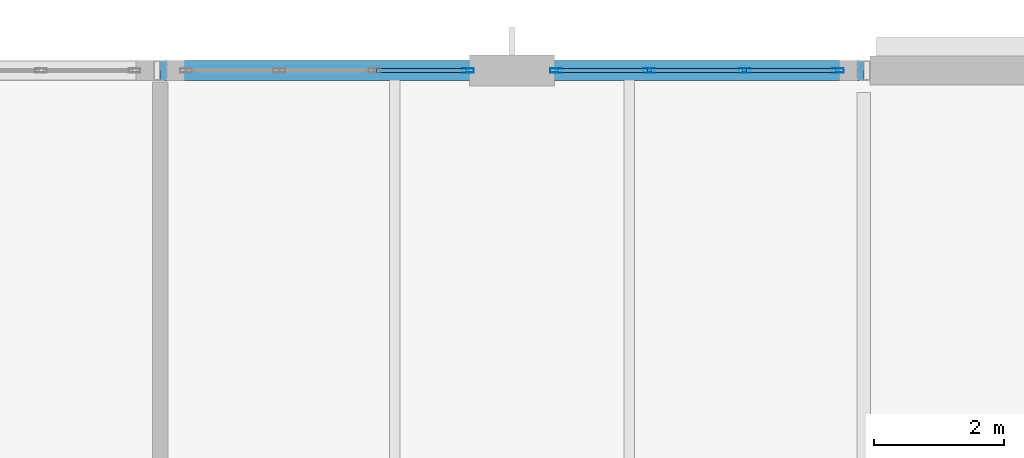
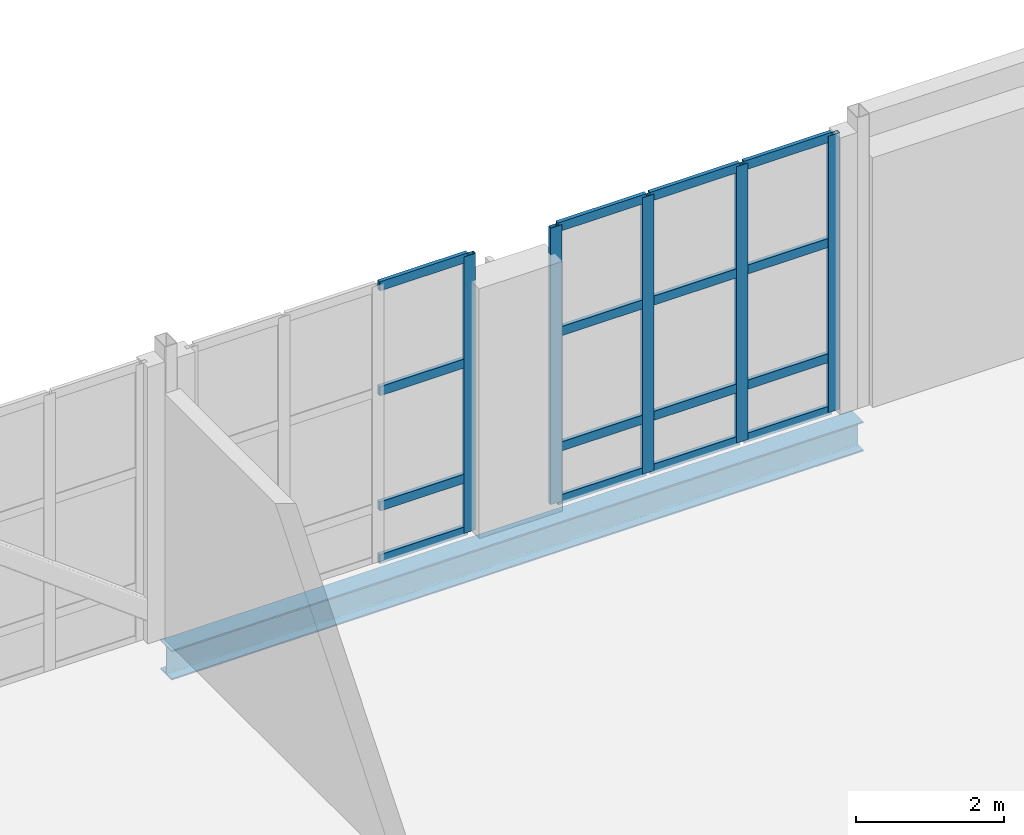
# One storey, part 56 of 100: 21 members, 1 beam, 2 elements without a shape of their own.
"""IFC4 building model written with IfcOpenShell, lengths in metres."""

from ifc_helpers import new_model, si_unit, direction, frame, origin, origin_2d, place, context, subcontext, project, spatial, hollow_rectangle, i_section, extrude, material, layer, layer_set, material_profile, profile_set, type_object, element, aggregate, save


model = new_model("IFC4")

# Units and contexts
model_context = context("Model", 3, precision=1e-05, world=origin(), true_north=direction((0.0, 1.0)))
body_context = subcontext(model_context, "Body", "Model", "MODEL_VIEW")
ifc_project = project(units=[si_unit("LENGTHUNIT", "METRE"), si_unit("AREAUNIT", "SQUARE_METRE"), si_unit("VOLUMEUNIT", "CUBIC_METRE"), si_unit("PLANEANGLEUNIT", "RADIAN"), si_unit("MASSUNIT", "GRAM", prefix="KILO")], contexts=[model_context])

# Site, building, storey
site_placement = place(None, origin())
site = spatial("IfcSite", under=ifc_project, at=site_placement, CompositionType="ELEMENT")
building_placement = place(site_placement, origin())
building = spatial("IfcBuilding", under=site, at=building_placement, Name="Tasgan Crest Museum", CompositionType="ELEMENT")
storey_placement = place(building_placement, frame((0.0, 0.0, 9.60009765625)))
storey = spatial("IfcBuildingStorey", under=building, at=storey_placement, Name="L02", CompositionType="ELEMENT", Elevation=9.60009765625)

# Beam
ifc_material_1 = material(Name="Steel S355J2", Category="steel")
ifc_material_profile_1 = material_profile(ifc_material_1, i_section(OverallWidth=0.300048828125, OverallDepth=0.489990234375, WebThickness=0.011962890625, FlangeThickness=0.02294921875, FilletRadius=0.027099609375, at=origin_2d()), Name="HEA 500")
ifc_profile_set_1 = profile_set([ifc_material_profile_1], Name="Steel S355J2")
beam_type = type_object("IfcBeamType", Name="BM-G-HEA500", PredefinedType="BEAM", material=ifc_profile_set_1)
beam_placement = place(storey_placement, frame((75.605224609375, 112.0, -0.485107421875), z_axis=(1.0, 0.0, 0.0), x_axis=(0.0, 1.0, 0.0)))
element("IfcBeam", 1, at=beam_placement, inside=storey, type_object=beam_type, Name="Girder L02 M 75.6-86.4", PredefinedType="BEAM", context=body_context, shape_type="SweptSolid", body=[
    extrude(i_section(OverallWidth=0.300048828125, OverallDepth=0.489990234375, WebThickness=0.011962890625, FlangeThickness=0.02294921875, FilletRadius=0.027099609375, at=origin_2d()), origin(), (0.0, 0.0, 1.0), 10.78955078125),
])

# Curtain wall, members
ifc_material_2 = material(Name="Triple-Glazed Aluminium Curtain Wall", Category="aluminium")
ifc_layer = layer(ifc_material_2, 0.179931640625, Name="CW-GAL-X-48")
ifc_layer_set = layer_set([ifc_layer], Name="Triple-Glazed Aluminium Curtain Wall")
curtain_wall_type = type_object("IfcCurtainWallType", Name="CW-GAL-X-48", PredefinedType="NOTDEFINED", material=ifc_layer_set)
curtain_wall_1_placement = place(storey_placement, origin())
curtain_wall_1 = element("IfcCurtainWall", 2, at=curtain_wall_1_placement, inside=storey, type_object=curtain_wall_type, Name="Curtain wall L02 081", PredefinedType="NOTDEFINED")
ifc_material_3 = material(Name="Anodised Aluminium", Category="aluminium")
ifc_material_profile_2 = material_profile(ifc_material_3, hollow_rectangle(XDim=0.06494140625, YDim=0.179931640625, WallThickness=0.0048828125, at=origin_2d()), Name="ALU MULLION 180x65x5")
ifc_profile_set_2 = profile_set([ifc_material_profile_2], Name="Anodised Aluminium")
member_type_1 = type_object("IfcMemberType", Name="CW-MULLION-180", PredefinedType="MULLION", material=ifc_profile_set_2)
member_1_placement = place(storey_placement, frame((86.0048828125, 112.0, 0.0), z_axis=(0.0, 0.0, 1.0), x_axis=(0.0, -1.0, 0.0)))
member_1 = element("IfcMember", 3, at=member_1_placement, type_object=member_type_1, Name="CW13 mullion 1", PredefinedType="MULLION", context=body_context, shape_type="SweptSolid", body=[
    extrude(hollow_rectangle(XDim=0.06494140625, YDim=0.179931640625, WallThickness=0.0048828125, at=origin_2d()), origin(), (0.0, 0.0, 1.0), 4.559814453125),
])
member_2_placement = place(storey_placement, frame((84.57177734375, 112.0, 0.0), z_axis=(0.0, 0.0, 1.0), x_axis=(0.0, -1.0, 0.0)))
member_2 = element("IfcMember", 4, at=member_2_placement, type_object=member_type_1, Name="CW13 mullion 2", PredefinedType="MULLION", context=body_context, shape_type="SweptSolid", body=[
    extrude(hollow_rectangle(XDim=0.06494140625, YDim=0.179931640625, WallThickness=0.0048828125, at=origin_2d()), origin(), (0.0, 0.0, 1.0), 4.559814453125),
])
member_3_placement = place(storey_placement, frame((83.1083984375, 112.0, 0.0), z_axis=(0.0, 0.0, 1.0), x_axis=(0.0, -1.0, 0.0)))
member_3 = element("IfcMember", 5, at=member_3_placement, type_object=member_type_1, Name="CW13 mullion 3", PredefinedType="MULLION", context=body_context, shape_type="SweptSolid", body=[
    extrude(hollow_rectangle(XDim=0.06494140625, YDim=0.179931640625, WallThickness=0.0048828125, at=origin_2d()), origin(), (0.0, 0.0, 1.0), 4.559814453125),
])
member_4_placement = place(storey_placement, frame((81.675048828125, 112.0, 0.0), z_axis=(0.0, 0.0, 1.0), x_axis=(0.0, -1.0, 0.0)))
member_4 = element("IfcMember", 6, at=member_4_placement, type_object=member_type_1, Name="CW13 mullion 4", PredefinedType="MULLION", context=body_context, shape_type="SweptSolid", body=[
    extrude(hollow_rectangle(XDim=0.06494140625, YDim=0.179931640625, WallThickness=0.0048828125, at=origin_2d()), origin(), (0.0, 0.0, 1.0), 4.559814453125),
])

# Curtain wall, member
curtain_wall_2_placement = place(storey_placement, origin())
curtain_wall_2 = element("IfcCurtainWall", 7, at=curtain_wall_2_placement, inside=storey, type_object=curtain_wall_type, Name="Curtain wall L02 082", PredefinedType="NOTDEFINED")
member_5_placement = place(storey_placement, frame((80.324951171875, 112.0, 0.0), z_axis=(0.0, 0.0, 1.0), x_axis=(0.0, -1.0, 0.0)))
member_5 = element("IfcMember", 8, at=member_5_placement, type_object=member_type_1, Name="CW13 mullion 1", PredefinedType="MULLION", context=body_context, shape_type="SweptSolid", body=[
    extrude(hollow_rectangle(XDim=0.06494140625, YDim=0.179931640625, WallThickness=0.0048828125, at=origin_2d()), origin(), (0.0, 0.0, 1.0), 4.559814453125),
])

# Member
ifc_material_4 = material(Name="Anodised Aluminium", Category="aluminium")
ifc_material_profile_3 = material_profile(ifc_material_4, hollow_rectangle(XDim=0.06005859375, YDim=0.14990234375, WallThickness=0.0048828125, at=origin_2d()), Name="ALU TRANSOM 150x60x5")
ifc_profile_set_3 = profile_set([ifc_material_profile_3], Name="Anodised Aluminium")
member_type_2 = type_object("IfcMemberType", Name="CW-TRANSOM-150", PredefinedType="USERDEFINED", material=ifc_profile_set_3)
member_6_placement = place(storey_placement, frame((85.97509765625, 112.0, 0.02978515625), z_axis=(-1.0, 0.0, 0.0), x_axis=(0.0, -1.0, 0.0)))
member_6 = element("IfcMember", 9, at=member_6_placement, type_object=member_type_2, Name="CW13 transom 1.1", ObjectType="TRANSOM", PredefinedType="USERDEFINED", context=body_context, shape_type="SweptSolid", body=[
    extrude(hollow_rectangle(XDim=0.06005859375, YDim=0.14990234375, WallThickness=0.0048828125, at=origin_2d()), origin(), (0.0, 0.0, 1.0), 1.37353515625),
])

member_7_placement = place(storey_placement, frame((85.97509765625, 112.0, 0.89990234375), z_axis=(-1.0, 0.0, 0.0), x_axis=(0.0, -1.0, 0.0)))
member_7 = element("IfcMember", 10, at=member_7_placement, type_object=member_type_2, Name="CW13 transom 1.2", ObjectType="TRANSOM", PredefinedType="USERDEFINED", context=body_context, shape_type="SweptSolid", body=[
    extrude(hollow_rectangle(XDim=0.06005859375, YDim=0.14990234375, WallThickness=0.0048828125, at=origin_2d()), origin(), (0.0, 0.0, 1.0), 1.37353515625),
])

member_8_placement = place(storey_placement, frame((85.97509765625, 112.0, 2.7998046875), z_axis=(-1.0, 0.0, 0.0), x_axis=(0.0, -1.0, 0.0)))
member_8 = element("IfcMember", 11, at=member_8_placement, type_object=member_type_2, Name="CW13 transom 1.3", ObjectType="TRANSOM", PredefinedType="USERDEFINED", context=body_context, shape_type="SweptSolid", body=[
    extrude(hollow_rectangle(XDim=0.06005859375, YDim=0.14990234375, WallThickness=0.0048828125, at=origin_2d()), origin(), (0.0, 0.0, 1.0), 1.37353515625),
])

member_9_placement = place(storey_placement, frame((85.97509765625, 112.0, 4.52978515625), z_axis=(-1.0, 0.0, 0.0), x_axis=(0.0, -1.0, 0.0)))
member_9 = element("IfcMember", 12, at=member_9_placement, type_object=member_type_2, Name="CW13 transom 1.4", ObjectType="TRANSOM", PredefinedType="USERDEFINED", context=body_context, shape_type="SweptSolid", body=[
    extrude(hollow_rectangle(XDim=0.06005859375, YDim=0.14990234375, WallThickness=0.0048828125, at=origin_2d()), origin(), (0.0, 0.0, 1.0), 1.37353515625),
])

member_10_placement = place(storey_placement, frame((84.541748046875, 112.0, 0.02978515625), z_axis=(-1.0, 0.0, 0.0), x_axis=(0.0, -1.0, 0.0)))
member_10 = element("IfcMember", 13, at=member_10_placement, type_object=member_type_2, Name="CW13 transom 2.1", ObjectType="TRANSOM", PredefinedType="USERDEFINED", context=body_context, shape_type="SweptSolid", body=[
    extrude(hollow_rectangle(XDim=0.06005859375, YDim=0.14990234375, WallThickness=0.0048828125, at=origin_2d()), origin(), (0.0, 0.0, 1.0), 1.4033203125),
])

member_11_placement = place(storey_placement, frame((84.541748046875, 112.0, 0.89990234375), z_axis=(-1.0, 0.0, 0.0), x_axis=(0.0, -1.0, 0.0)))
member_11 = element("IfcMember", 14, at=member_11_placement, type_object=member_type_2, Name="CW13 transom 2.2", ObjectType="TRANSOM", PredefinedType="USERDEFINED", context=body_context, shape_type="SweptSolid", body=[
    extrude(hollow_rectangle(XDim=0.06005859375, YDim=0.14990234375, WallThickness=0.0048828125, at=origin_2d()), origin(), (0.0, 0.0, 1.0), 1.4033203125),
])

member_12_placement = place(storey_placement, frame((84.541748046875, 112.0, 2.7998046875), z_axis=(-1.0, 0.0, 0.0), x_axis=(0.0, -1.0, 0.0)))
member_12 = element("IfcMember", 15, at=member_12_placement, type_object=member_type_2, Name="CW13 transom 2.3", ObjectType="TRANSOM", PredefinedType="USERDEFINED", context=body_context, shape_type="SweptSolid", body=[
    extrude(hollow_rectangle(XDim=0.06005859375, YDim=0.14990234375, WallThickness=0.0048828125, at=origin_2d()), origin(), (0.0, 0.0, 1.0), 1.4033203125),
])

member_13_placement = place(storey_placement, frame((84.541748046875, 112.0, 4.52978515625), z_axis=(-1.0, 0.0, 0.0), x_axis=(0.0, -1.0, 0.0)))
member_13 = element("IfcMember", 16, at=member_13_placement, type_object=member_type_2, Name="CW13 transom 2.4", ObjectType="TRANSOM", PredefinedType="USERDEFINED", context=body_context, shape_type="SweptSolid", body=[
    extrude(hollow_rectangle(XDim=0.06005859375, YDim=0.14990234375, WallThickness=0.0048828125, at=origin_2d()), origin(), (0.0, 0.0, 1.0), 1.4033203125),
])

member_14_placement = place(storey_placement, frame((83.078369140625, 112.0, 0.02978515625), z_axis=(-1.0, 0.0, 0.0), x_axis=(0.0, -1.0, 0.0)))
member_14 = element("IfcMember", 17, at=member_14_placement, type_object=member_type_2, Name="CW13 transom 3.1", ObjectType="TRANSOM", PredefinedType="USERDEFINED", context=body_context, shape_type="SweptSolid", body=[
    extrude(hollow_rectangle(XDim=0.06005859375, YDim=0.14990234375, WallThickness=0.0048828125, at=origin_2d()), origin(), (0.0, 0.0, 1.0), 1.373291015625),
])

member_15_placement = place(storey_placement, frame((83.078369140625, 112.0, 0.89990234375), z_axis=(-1.0, 0.0, 0.0), x_axis=(0.0, -1.0, 0.0)))
member_15 = element("IfcMember", 18, at=member_15_placement, type_object=member_type_2, Name="CW13 transom 3.2", ObjectType="TRANSOM", PredefinedType="USERDEFINED", context=body_context, shape_type="SweptSolid", body=[
    extrude(hollow_rectangle(XDim=0.06005859375, YDim=0.14990234375, WallThickness=0.0048828125, at=origin_2d()), origin(), (0.0, 0.0, 1.0), 1.373291015625),
])

member_16_placement = place(storey_placement, frame((83.078369140625, 112.0, 2.7998046875), z_axis=(-1.0, 0.0, 0.0), x_axis=(0.0, -1.0, 0.0)))
member_16 = element("IfcMember", 19, at=member_16_placement, type_object=member_type_2, Name="CW13 transom 3.3", ObjectType="TRANSOM", PredefinedType="USERDEFINED", context=body_context, shape_type="SweptSolid", body=[
    extrude(hollow_rectangle(XDim=0.06005859375, YDim=0.14990234375, WallThickness=0.0048828125, at=origin_2d()), origin(), (0.0, 0.0, 1.0), 1.373291015625),
])

member_17_placement = place(storey_placement, frame((83.078369140625, 112.0, 4.52978515625), z_axis=(-1.0, 0.0, 0.0), x_axis=(0.0, -1.0, 0.0)))
member_17 = element("IfcMember", 20, at=member_17_placement, type_object=member_type_2, Name="CW13 transom 3.4", ObjectType="TRANSOM", PredefinedType="USERDEFINED", context=body_context, shape_type="SweptSolid", body=[
    extrude(hollow_rectangle(XDim=0.06005859375, YDim=0.14990234375, WallThickness=0.0048828125, at=origin_2d()), origin(), (0.0, 0.0, 1.0), 1.373291015625),
])

aggregate(curtain_wall_1, [member_1, member_2, member_3, member_4, member_6, member_7, member_8, member_9, member_10, member_11, member_12, member_13, member_14, member_15, member_16, member_17])

member_18_placement = place(storey_placement, frame((80.294921875, 112.0, 0.02978515625), z_axis=(-1.0, 0.0, 0.0), x_axis=(0.0, -1.0, 0.0)))
member_18 = element("IfcMember", 21, at=member_18_placement, type_object=member_type_2, Name="CW13 transom 1.1", ObjectType="TRANSOM", PredefinedType="USERDEFINED", context=body_context, shape_type="SweptSolid", body=[
    extrude(hollow_rectangle(XDim=0.06005859375, YDim=0.14990234375, WallThickness=0.0048828125, at=origin_2d()), origin(), (0.0, 0.0, 1.0), 1.373291015625),
])

member_19_placement = place(storey_placement, frame((80.294921875, 112.0, 0.89990234375), z_axis=(-1.0, 0.0, 0.0), x_axis=(0.0, -1.0, 0.0)))
member_19 = element("IfcMember", 22, at=member_19_placement, type_object=member_type_2, Name="CW13 transom 1.2", ObjectType="TRANSOM", PredefinedType="USERDEFINED", context=body_context, shape_type="SweptSolid", body=[
    extrude(hollow_rectangle(XDim=0.06005859375, YDim=0.14990234375, WallThickness=0.0048828125, at=origin_2d()), origin(), (0.0, 0.0, 1.0), 1.373291015625),
])

member_20_placement = place(storey_placement, frame((80.294921875, 112.0, 2.7998046875), z_axis=(-1.0, 0.0, 0.0), x_axis=(0.0, -1.0, 0.0)))
member_20 = element("IfcMember", 23, at=member_20_placement, type_object=member_type_2, Name="CW13 transom 1.3", ObjectType="TRANSOM", PredefinedType="USERDEFINED", context=body_context, shape_type="SweptSolid", body=[
    extrude(hollow_rectangle(XDim=0.06005859375, YDim=0.14990234375, WallThickness=0.0048828125, at=origin_2d()), origin(), (0.0, 0.0, 1.0), 1.373291015625),
])

member_21_placement = place(storey_placement, frame((80.294921875, 112.0, 4.52978515625), z_axis=(-1.0, 0.0, 0.0), x_axis=(0.0, -1.0, 0.0)))
member_21 = element("IfcMember", 24, at=member_21_placement, type_object=member_type_2, Name="CW13 transom 1.4", ObjectType="TRANSOM", PredefinedType="USERDEFINED", context=body_context, shape_type="SweptSolid", body=[
    extrude(hollow_rectangle(XDim=0.06005859375, YDim=0.14990234375, WallThickness=0.0048828125, at=origin_2d()), origin(), (0.0, 0.0, 1.0), 1.373291015625),
])

aggregate(curtain_wall_2, [member_5, member_18, member_19, member_20, member_21])

save(model, "model.ifc")
